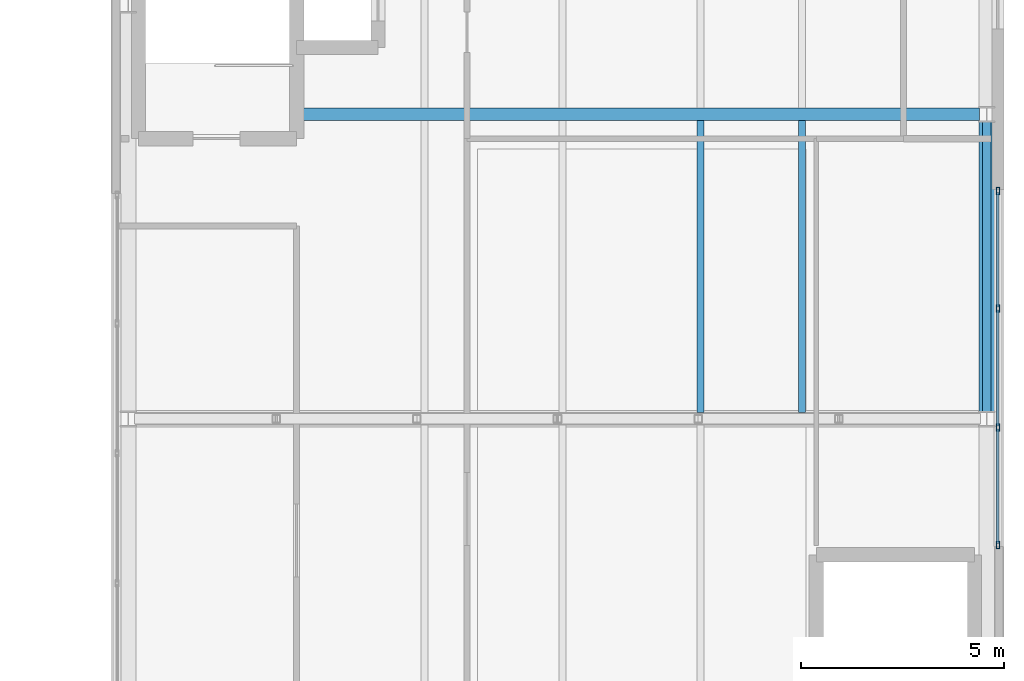
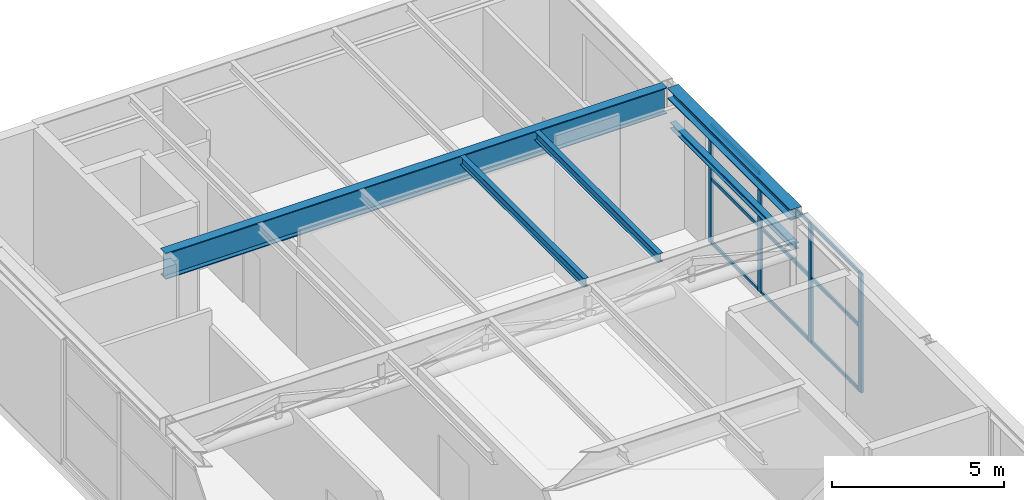
# One storey, part 17 of 27: 13 members, 5 beams, 1 element without a shape of its own.
"""IFC4 building model written with IfcOpenShell, lengths in metres."""

from ifc_helpers import new_model, si_unit, direction, frame, origin, origin_2d, place, context, subcontext, project, spatial, hollow_rectangle, i_section, extrude, material, layer, layer_set, material_profile, profile_set, type_object, element, aggregate, save


model = new_model("IFC4")

# Units and contexts
model_context = context("Model", 3, precision=1e-05, world=origin(), true_north=direction((0.0, 1.0)))
body_context = subcontext(model_context, "Body", "Model", "MODEL_VIEW")
ifc_project = project(units=[si_unit("LENGTHUNIT", "METRE"), si_unit("AREAUNIT", "SQUARE_METRE"), si_unit("VOLUMEUNIT", "CUBIC_METRE"), si_unit("PLANEANGLEUNIT", "RADIAN"), si_unit("MASSUNIT", "GRAM", prefix="KILO")], contexts=[model_context])

# Site, building, storey
site_placement = place(None, origin())
site = spatial("IfcSite", under=ifc_project, at=site_placement, CompositionType="ELEMENT")
building_placement = place(site_placement, origin())
building = spatial("IfcBuilding", under=site, at=building_placement, Name="Mersakhor Tower and Convention Hall", CompositionType="ELEMENT")
storey_placement = place(building_placement, frame((0.0, 0.0, 14.39990234375)))
storey = spatial("IfcBuildingStorey", under=building, at=storey_placement, Name="L03", CompositionType="ELEMENT", Elevation=14.39990234375)

# Beams
ifc_material_1 = material(Name="Steel S355", Category="steel")
ifc_material_profile_1 = material_profile(ifc_material_1, i_section(OverallWidth=0.165771484375, OverallDepth=0.306640625, WebThickness=0.006591796875, FlangeThickness=0.01171875, at=origin_2d()), Name="UB 305x165x46")
ifc_profile_set_1 = profile_set([ifc_material_profile_1], Name="Steel S355")
beam_type_1 = type_object("IfcBeamType", Name="BM-JST-305", PredefinedType="JOIST", material=ifc_profile_set_1)
for number, where, z_axis, x_axis, name in (
    (1, (69.60009765625, 33.40380859375, 4.646728515625), (0.0, 1.0, 0.0), (-1.0, 0.0, 0.0), "Convention L03 Composite Floor Joist CJ-5-69"),
    (2, (72.10009765625, 33.40380859375, 4.646728515625), (0.0, 1.0, 0.0), (-1.0, 0.0, 0.0), "Convention L03 Composite Floor Joist CJ-5-72"),
):
    element("IfcBeam", number, at=place(storey_placement, frame(where, z_axis=z_axis, x_axis=x_axis)), inside=storey, type_object=beam_type_1, Name=name, PredefinedType="JOIST", context=body_context, shape_type="SweptSolid", body=[
        extrude(i_section(OverallWidth=0.165771484375, OverallDepth=0.306640625, WebThickness=0.006591796875, FlangeThickness=0.01171875, at=origin_2d()), origin(), (0.0, 0.0, 1.0), 7.1923828125),
    ])
ifc_material_2 = material(Name="Steel S355", Category="steel")
ifc_material_profile_2 = material_profile(ifc_material_2, i_section(OverallWidth=0.205810546875, OverallDepth=0.209716796875, WebThickness=0.009521484375, FlangeThickness=0.01416015625, at=origin_2d()), Name="UC 203x203x60")
ifc_profile_set_2 = profile_set([ifc_material_profile_2], Name="Steel S355")
beam_type_2 = type_object("IfcBeamType", Name="BM-LNT-UC203", PredefinedType="LINTEL", material=ifc_profile_set_2)
beam_1_placement = place(storey_placement, frame((76.64990234375, 33.429931640625, 3.4501953125), z_axis=(0.0, 1.0, 0.0), x_axis=(-1.0, 0.0, 0.0)))
element("IfcBeam", 3, at=beam_1_placement, inside=storey, type_object=beam_type_2, Name="Convention L03 Opening Lintel Beam LNT-5", PredefinedType="LINTEL", context=body_context, shape_type="SweptSolid", body=[
    extrude(i_section(OverallWidth=0.205810546875, OverallDepth=0.209716796875, WebThickness=0.009521484375, FlangeThickness=0.01416015625, at=origin_2d()), origin(), (0.0, 0.0, 1.0), 7.14013671875),
])
ifc_material_3 = material(Name="Steel S355", Category="steel")
ifc_material_profile_3 = material_profile(ifc_material_3, i_section(OverallWidth=0.3076171875, OverallDepth=0.926513671875, WebThickness=0.01953125, FlangeThickness=0.031982421875, at=origin_2d()), Name="UB 914x305x289")
ifc_profile_set_3 = profile_set([ifc_material_profile_3], Name="Steel S355")
beam_type_3 = type_object("IfcBeamType", Name="BM-PR-914", PredefinedType="BEAM", material=ifc_profile_set_3)
beam_2_placement = place(storey_placement, frame((59.64990234375, 40.75, 4.3369140625), z_axis=(1.0, 0.0, 0.0), x_axis=(0.0, 1.0, 0.0)))
element("IfcBeam", 4, at=beam_2_placement, inside=storey, type_object=beam_type_3, Name="Convention L03 Clear-Span Girder CG-6", PredefinedType="BEAM", context=body_context, shape_type="SweptSolid", body=[
    extrude(i_section(OverallWidth=0.3076171875, OverallDepth=0.926513671875, WebThickness=0.01953125, FlangeThickness=0.031982421875, at=origin_2d()), origin(), (0.0, 0.0, 1.0), 16.820068359375),
])
ifc_material_4 = material(Name="Steel S355", Category="steel")
ifc_material_profile_4 = material_profile(ifc_material_4, i_section(OverallWidth=0.374755859375, OverallDepth=0.37451171875, WebThickness=0.0166015625, FlangeThickness=0.027099609375, at=origin_2d()), Name="UC 356x368x202")
ifc_profile_set_4 = profile_set([ifc_material_profile_4], Name="Steel S355")
beam_type_4 = type_object("IfcBeamType", Name="BM-SPD-UC356", PredefinedType="SPANDREL", material=ifc_profile_set_4)
beam_3_placement = place(storey_placement, frame((76.64990234375, 33.429931640625, 4.613037109375), z_axis=(0.0, 1.0, 0.0), x_axis=(-1.0, 0.0, 0.0)))
element("IfcBeam", 5, at=beam_3_placement, inside=storey, type_object=beam_type_4, Name="Convention L03 Edge Spandrel E5", PredefinedType="SPANDREL", context=body_context, shape_type="SweptSolid", body=[
    extrude(i_section(OverallWidth=0.374755859375, OverallDepth=0.37451171875, WebThickness=0.0166015625, FlangeThickness=0.027099609375, at=origin_2d()), origin(), (0.0, 0.0, 1.0), 7.14013671875),
])

# Curtain wall, members
ifc_material_5 = material(Name="Dark solar low-E aluminium curtain wall", Category="aluminium")
ifc_layer = layer(ifc_material_5, 0.219970703125)
ifc_layer_set = layer_set([ifc_layer], Name="Dark solar low-E aluminium curtain wall")
curtain_wall_type = type_object("IfcCurtainWallType", Name="CW-SYS-07", PredefinedType="USERDEFINED", material=ifc_layer_set)
curtain_wall_placement = place(storey_placement, origin())
curtain_wall = element("IfcCurtainWall", 6, at=curtain_wall_placement, inside=storey, type_object=curtain_wall_type, Name="Convention L03 East Curtain Wall", ObjectType="CURTAIN WALL", PredefinedType="USERDEFINED")
ifc_material_6 = material(Name="Anodised aluminium EN AW-6063 T6", Category="aluminium")
ifc_material_profile_5 = material_profile(ifc_material_6, hollow_rectangle(XDim=0.080078125, YDim=0.179931640625, WallThickness=0.008056640625, at=origin_2d()), Name="RHS 180x80x8")
ifc_profile_set_5 = profile_set([ifc_material_profile_5], Name="Anodised aluminium EN AW-6063 T6")
member_type_1 = type_object("IfcMemberType", Name="CWM-180x80", PredefinedType="MULLION", material=ifc_profile_set_5)
member_1_placement = place(storey_placement, frame((76.925048828125, 38.860107421875, 0.2001953125), z_axis=(0.0, 0.0, 1.0), x_axis=(1.0, 0.0, 0.0)))
member_1 = element("IfcMember", 7, at=member_1_placement, type_object=member_type_1, Name="CW-07 mullion 1", PredefinedType="MULLION", context=body_context, shape_type="SweptSolid", body=[
    extrude(hollow_rectangle(XDim=0.080078125, YDim=0.179931640625, WallThickness=0.008056640625, at=origin_2d()), origin(), (0.0, 0.0, 1.0), 4.219970703125),
])
member_2_placement = place(storey_placement, frame((76.925048828125, 35.966552734375, 0.2001953125), z_axis=(0.0, 0.0, 1.0), x_axis=(1.0, 0.0, 0.0)))
member_2 = element("IfcMember", 8, at=member_2_placement, type_object=member_type_1, Name="CW-07 mullion 2", PredefinedType="MULLION", context=body_context, shape_type="SweptSolid", body=[
    extrude(hollow_rectangle(XDim=0.080078125, YDim=0.179931640625, WallThickness=0.008056640625, at=origin_2d()), origin(), (0.0, 0.0, 1.0), 4.219970703125),
])
member_3_placement = place(storey_placement, frame((76.925048828125, 33.033447265625, 0.2001953125), z_axis=(0.0, 0.0, 1.0), x_axis=(1.0, 0.0, 0.0)))
member_3 = element("IfcMember", 9, at=member_3_placement, type_object=member_type_1, Name="CW-07 mullion 3", PredefinedType="MULLION", context=body_context, shape_type="SweptSolid", body=[
    extrude(hollow_rectangle(XDim=0.080078125, YDim=0.179931640625, WallThickness=0.008056640625, at=origin_2d()), origin(), (0.0, 0.0, 1.0), 4.219970703125),
])
member_4_placement = place(storey_placement, frame((76.925048828125, 30.139892578125, 0.2001953125), z_axis=(0.0, 0.0, 1.0), x_axis=(1.0, 0.0, 0.0)))
member_4 = element("IfcMember", 10, at=member_4_placement, type_object=member_type_1, Name="CW-07 mullion 4", PredefinedType="MULLION", context=body_context, shape_type="SweptSolid", body=[
    extrude(hollow_rectangle(XDim=0.080078125, YDim=0.179931640625, WallThickness=0.008056640625, at=origin_2d()), origin(), (0.0, 0.0, 1.0), 4.219970703125),
])
ifc_material_7 = material(Name="Anodised aluminium EN AW-6063 T6", Category="aluminium")
ifc_material_profile_6 = material_profile(ifc_material_7, hollow_rectangle(XDim=0.06005859375, YDim=0.1201171875, WallThickness=0.0048828125, at=origin_2d()), Name="RHS 120x60x5")
ifc_profile_set_6 = profile_set([ifc_material_profile_6], Name="Anodised aluminium EN AW-6063 T6")
member_type_2 = type_object("IfcMemberType", Name="CWT-120x60", PredefinedType="USERDEFINED", material=ifc_profile_set_6)
member_5_placement = place(storey_placement, frame((76.925048828125, 38.820068359375, 0.22998046875), z_axis=(0.0, -1.0, 0.0), x_axis=(1.0, 0.0, 0.0)))
member_5 = element("IfcMember", 11, at=member_5_placement, type_object=member_type_2, Name="CW-07 transom 1.1", ObjectType="TRANSOM", PredefinedType="USERDEFINED", context=body_context, shape_type="SweptSolid", body=[
    extrude(hollow_rectangle(XDim=0.06005859375, YDim=0.1201171875, WallThickness=0.0048828125, at=origin_2d()), origin(), (0.0, 0.0, 1.0), 2.8134765625),
])
member_6_placement = place(storey_placement, frame((76.925048828125, 38.820068359375, 2.5), z_axis=(0.0, -1.0, 0.0), x_axis=(1.0, 0.0, 0.0)))
member_6 = element("IfcMember", 12, at=member_6_placement, type_object=member_type_2, Name="CW-07 transom 1.2", ObjectType="TRANSOM", PredefinedType="USERDEFINED", context=body_context, shape_type="SweptSolid", body=[
    extrude(hollow_rectangle(XDim=0.06005859375, YDim=0.1201171875, WallThickness=0.0048828125, at=origin_2d()), origin(), (0.0, 0.0, 1.0), 2.8134765625),
])
member_7_placement = place(storey_placement, frame((76.925048828125, 38.820068359375, 4.39013671875), z_axis=(0.0, -1.0, 0.0), x_axis=(1.0, 0.0, 0.0)))
member_7 = element("IfcMember", 13, at=member_7_placement, type_object=member_type_2, Name="CW-07 transom 1.3", ObjectType="TRANSOM", PredefinedType="USERDEFINED", context=body_context, shape_type="SweptSolid", body=[
    extrude(hollow_rectangle(XDim=0.06005859375, YDim=0.1201171875, WallThickness=0.0048828125, at=origin_2d()), origin(), (0.0, 0.0, 1.0), 2.8134765625),
])
member_8_placement = place(storey_placement, frame((76.925048828125, 35.9267578125, 0.22998046875), z_axis=(0.0, -1.0, 0.0), x_axis=(1.0, 0.0, 0.0)))
member_8 = element("IfcMember", 14, at=member_8_placement, type_object=member_type_2, Name="CW-07 transom 2.1", ObjectType="TRANSOM", PredefinedType="USERDEFINED", context=body_context, shape_type="SweptSolid", body=[
    extrude(hollow_rectangle(XDim=0.06005859375, YDim=0.1201171875, WallThickness=0.0048828125, at=origin_2d()), origin(), (0.0, 0.0, 1.0), 2.853515625),
])
member_9_placement = place(storey_placement, frame((76.925048828125, 35.9267578125, 2.5), z_axis=(0.0, -1.0, 0.0), x_axis=(1.0, 0.0, 0.0)))
member_9 = element("IfcMember", 15, at=member_9_placement, type_object=member_type_2, Name="CW-07 transom 2.2", ObjectType="TRANSOM", PredefinedType="USERDEFINED", context=body_context, shape_type="SweptSolid", body=[
    extrude(hollow_rectangle(XDim=0.06005859375, YDim=0.1201171875, WallThickness=0.0048828125, at=origin_2d()), origin(), (0.0, 0.0, 1.0), 2.853515625),
])
member_10_placement = place(storey_placement, frame((76.925048828125, 35.9267578125, 4.39013671875), z_axis=(0.0, -1.0, 0.0), x_axis=(1.0, 0.0, 0.0)))
member_10 = element("IfcMember", 16, at=member_10_placement, type_object=member_type_2, Name="CW-07 transom 2.3", ObjectType="TRANSOM", PredefinedType="USERDEFINED", context=body_context, shape_type="SweptSolid", body=[
    extrude(hollow_rectangle(XDim=0.06005859375, YDim=0.1201171875, WallThickness=0.0048828125, at=origin_2d()), origin(), (0.0, 0.0, 1.0), 2.853515625),
])
member_11_placement = place(storey_placement, frame((76.925048828125, 32.993408203125, 0.22998046875), z_axis=(0.0, -1.0, 0.0), x_axis=(1.0, 0.0, 0.0)))
member_11 = element("IfcMember", 17, at=member_11_placement, type_object=member_type_2, Name="CW-07 transom 3.1", ObjectType="TRANSOM", PredefinedType="USERDEFINED", context=body_context, shape_type="SweptSolid", body=[
    extrude(hollow_rectangle(XDim=0.06005859375, YDim=0.1201171875, WallThickness=0.0048828125, at=origin_2d()), origin(), (0.0, 0.0, 1.0), 2.8134765625),
])
member_12_placement = place(storey_placement, frame((76.925048828125, 32.993408203125, 2.5), z_axis=(0.0, -1.0, 0.0), x_axis=(1.0, 0.0, 0.0)))
member_12 = element("IfcMember", 18, at=member_12_placement, type_object=member_type_2, Name="CW-07 transom 3.2", ObjectType="TRANSOM", PredefinedType="USERDEFINED", context=body_context, shape_type="SweptSolid", body=[
    extrude(hollow_rectangle(XDim=0.06005859375, YDim=0.1201171875, WallThickness=0.0048828125, at=origin_2d()), origin(), (0.0, 0.0, 1.0), 2.8134765625),
])
member_13_placement = place(storey_placement, frame((76.925048828125, 32.993408203125, 4.39013671875), z_axis=(0.0, -1.0, 0.0), x_axis=(1.0, 0.0, 0.0)))
member_13 = element("IfcMember", 19, at=member_13_placement, type_object=member_type_2, Name="CW-07 transom 3.3", ObjectType="TRANSOM", PredefinedType="USERDEFINED", context=body_context, shape_type="SweptSolid", body=[
    extrude(hollow_rectangle(XDim=0.06005859375, YDim=0.1201171875, WallThickness=0.0048828125, at=origin_2d()), origin(), (0.0, 0.0, 1.0), 2.8134765625),
])
aggregate(curtain_wall, [member_1, member_2, member_3, member_4, member_5, member_6, member_7, member_8, member_9, member_10, member_11, member_12, member_13])

save(model, "model.ifc")
